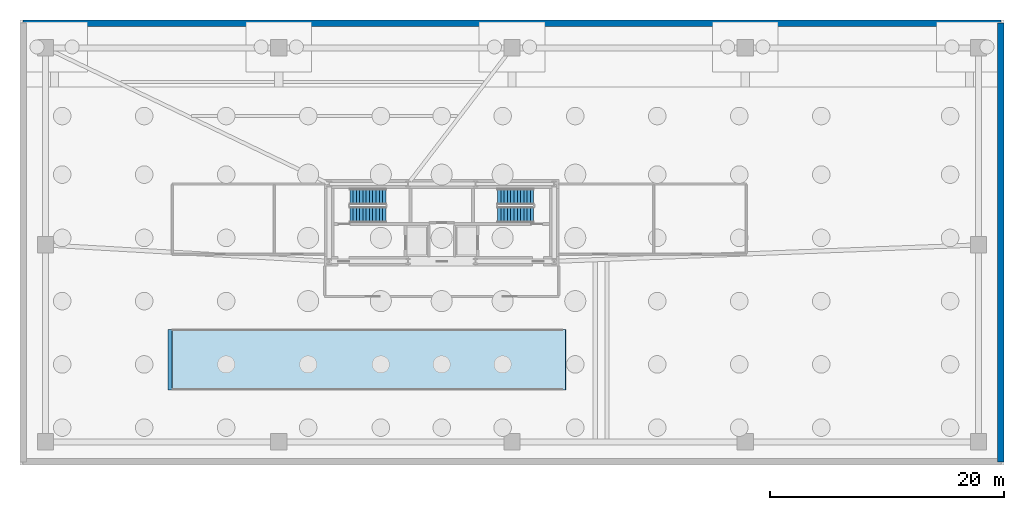
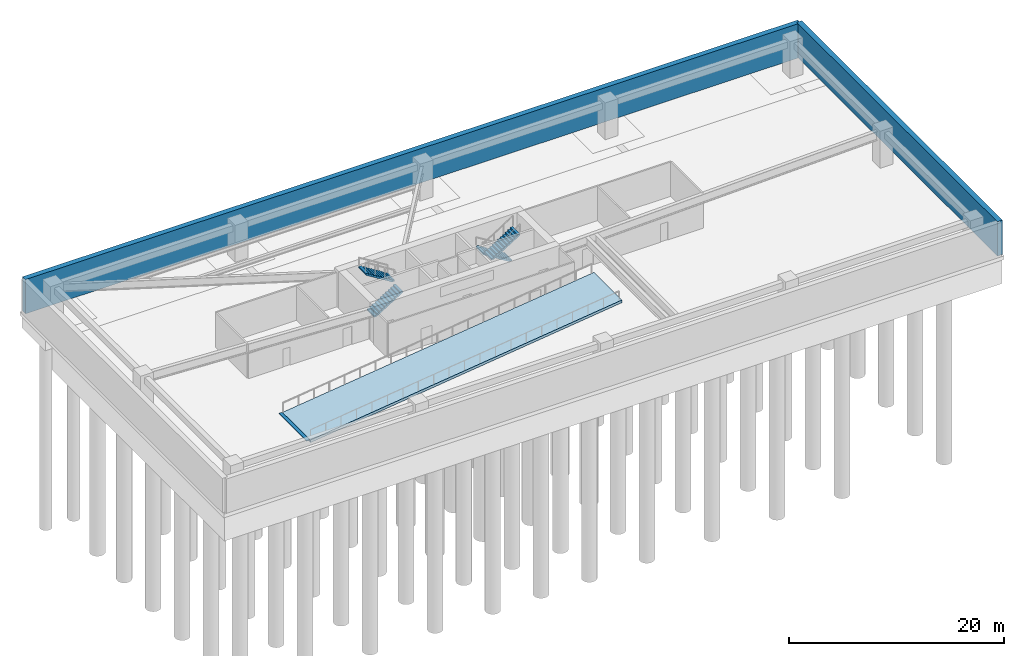
# One storey, part 6 of 8: 4 stair flights, 2 walls, 1 ramp, 1 slab, 2 elements without a shape of their own.
"""IFC4 building model written with IfcOpenShell, lengths in metres."""

import ifcopenshell
import ifcopenshell.guid

model = None  # the IFC model being written
_history = None  # IfcOwnerHistory: only IFC2X3 demands one
_inside = {}  # id of a spatial element -> (the spatial element, [elements in it])
_under = {}  # id of a project, library or spatial element -> (it, [spatial elements below it])
_declared = {}  # id of a project -> (the project, [libraries it declares])
_typed = {}  # id of a type object -> (the type object, [elements of that type])
_made_of = {}  # id of a material, layer set ... -> (it, [elements and type objects made of it])


def new_model(schema):
    """Start an empty IFC model of exactly this schema.

    Asked for "IFC4X3", IfcOpenShell would pick the latest addendum, in which some entities
    have other attributes; the version numbers below select the first issue.
    IFC2X3 requires an IfcOwnerHistory on every rooted entity: one is made here for all.
    """
    global model, _history
    if schema == "IFC4X3":
        model = ifcopenshell.file(schema_version=(4, 3, 0, 0))
    else:
        model = ifcopenshell.file(schema=schema)
    _inside.clear()
    _under.clear()
    _declared.clear()
    _typed.clear()
    _made_of.clear()
    _history = None
    if model.schema == "IFC2X3":
        org = make("IfcOrganization", Name="unknown")
        user = make(
            "IfcPersonAndOrganization",
            ThePerson=make("IfcPerson", FamilyName="unknown"),
            TheOrganization=org,
        )
        app = make(
            "IfcApplication",
            ApplicationDeveloper=org,
            Version="unknown",
            ApplicationFullName="unknown",
            ApplicationIdentifier="unknown",
        )
        _history = make(
            "IfcOwnerHistory",
            OwningUser=user,
            OwningApplication=app,
            ChangeAction="ADDED",
            CreationDate=0,
        )
    return model


def make(cls, **values):
    """One entity of the class cls with the attributes given. An attribute that is None is left unset."""
    return model.create_entity(
        cls, **{name: value for name, value in values.items() if value is not None}
    )


def rooted(cls, **values):
    """An entity with a GlobalId (a new one), such as an element, a storey or a relation."""
    return make(cls, GlobalId=ifcopenshell.guid.new(), OwnerHistory=_history, **values)


def si_unit(unit_type, name, prefix=None):
    """IfcSIUnit, for example si_unit("LENGTHUNIT", "METRE", prefix="MILLI")."""
    return make("IfcSIUnit", UnitType=unit_type, Prefix=prefix, Name=name)


def assignment(units):
    """IfcUnitAssignment: the units of a project."""
    return None if units is None else make("IfcUnitAssignment", Units=units)


def point(xyz):
    """IfcCartesianPoint."""
    return None if xyz is None else make("IfcCartesianPoint", Coordinates=xyz)


def direction(xyz):
    """IfcDirection."""
    return None if xyz is None else make("IfcDirection", DirectionRatios=xyz)


def frame(location, z_axis=None, x_axis=None):
    """IfcAxis2Placement3D, a coordinate frame: its origin and axes. An axis left out is left unset."""
    return make(
        "IfcAxis2Placement3D",
        Location=point(location),
        Axis=direction(z_axis),
        RefDirection=direction(x_axis),
    )


def frame_2d(location, x_axis=None):
    """IfcAxis2Placement2D, a coordinate frame in the plane: its origin and x axis."""
    return make(
        "IfcAxis2Placement2D", Location=point(location), RefDirection=direction(x_axis)
    )


def origin():
    """The frame at (0, 0, 0) with its axes left unset."""
    return frame((0.0, 0.0, 0.0))


def place(relative_to, where):
    """IfcLocalPlacement: puts the frame where relative to a parent placement (None: the world)."""
    return make(
        "IfcLocalPlacement", PlacementRelTo=relative_to, RelativePlacement=where
    )


def context(
    kind, dimensions, precision=None, world=None, true_north=None, identifier=None
):
    """IfcGeometricRepresentationContext, for example the 3D "Model" context."""
    return make(
        "IfcGeometricRepresentationContext",
        ContextIdentifier=identifier,
        ContextType=kind,
        CoordinateSpaceDimension=dimensions,
        Precision=precision,
        WorldCoordinateSystem=world,
        TrueNorth=true_north,
    )


def subcontext(parent, identifier, kind, view, scale=None):
    """IfcGeometricRepresentationSubContext, for example "Body" below "Model"."""
    return make(
        "IfcGeometricRepresentationSubContext",
        ContextIdentifier=identifier,
        ContextType=kind,
        ParentContext=parent,
        TargetScale=scale,
        TargetView=view,
    )


def project(units=None, contexts=None):
    """IfcProject with its units and contexts."""
    return rooted(
        "IfcProject",
        Name="project",
        RepresentationContexts=contexts,
        UnitsInContext=assignment(units),
    )


def spatial(cls, under=None, at=None, **own):
    """A site, building, storey or space (cls), placed at a placement, below another one or the project."""
    s = rooted(cls, ObjectPlacement=at, **own)
    if under is not None:
        _under.setdefault(under.id(), (under, []))[1].append(s)
    return s


def polyline(points):
    """IfcPolyline through the points."""
    return make("IfcPolyline", Points=[point(p) for p in points])


def profile(cls, at=None, kind="AREA", **sizes):
    """A parametric profile (cls). Its sizes go by their IFC names, for example OverallWidth=200.0."""
    return make(cls, ProfileType=kind, Position=at, **sizes)


def rectangle(**sizes):
    """IfcRectangleProfileDef."""
    return profile("IfcRectangleProfileDef", **sizes)


def outline(outer, holes=None, kind="AREA"):
    """IfcArbitraryClosedProfileDef: a profile drawn as a closed curve; with holes, ...WithVoids."""
    if holes is None:
        return make("IfcArbitraryClosedProfileDef", ProfileType=kind, OuterCurve=outer)
    return make(
        "IfcArbitraryProfileDefWithVoids",
        ProfileType=kind,
        OuterCurve=outer,
        InnerCurves=holes,
    )


def extrude(swept, where, along, depth):
    """IfcExtrudedAreaSolid: the profile swept, set in the frame where, extruded along a direction by depth."""
    return make(
        "IfcExtrudedAreaSolid",
        SweptArea=swept,
        Position=where,
        ExtrudedDirection=direction(along),
        Depth=depth,
    )


def shape(context_of_items, identifier, shape_type, items):
    """IfcShapeRepresentation: the items that make up one representation, for example the "Body"."""
    return make(
        "IfcShapeRepresentation",
        ContextOfItems=context_of_items,
        RepresentationIdentifier=identifier,
        RepresentationType=shape_type,
        Items=items,
    )


def source(mapping_origin, context_of_items, identifier, shape_type, items):
    """IfcRepresentationMap: a shape defined once, which mapped items show again and again."""
    return make(
        "IfcRepresentationMap",
        MappingOrigin=mapping_origin,
        MappedRepresentation=shape(context_of_items, identifier, shape_type, items),
    )


def transform(
    local_origin,
    x_axis=None,
    y_axis=None,
    z_axis=None,
    scale=None,
    scale2=None,
    scale3=None,
    uniform=True,
):
    """IfcCartesianTransformationOperator3D, or its non-uniform kind. x_axis, y_axis, z_axis: its Axis1, 2, 3."""
    if uniform:
        return make(
            "IfcCartesianTransformationOperator3D",
            Axis1=direction(x_axis),
            Axis2=direction(y_axis),
            LocalOrigin=point(local_origin),
            Scale=scale,
            Axis3=direction(z_axis),
        )
    return make(
        "IfcCartesianTransformationOperator3DnonUniform",
        Axis1=direction(x_axis),
        Axis2=direction(y_axis),
        LocalOrigin=point(local_origin),
        Scale=scale,
        Axis3=direction(z_axis),
        Scale2=scale2,
        Scale3=scale3,
    )


def mapped(mapping_source, mapping_target):
    """IfcMappedItem: shows the shape of a source again, moved by a transform."""
    return make(
        "IfcMappedItem", MappingSource=mapping_source, MappingTarget=mapping_target
    )


def material(Name=None, Category=None):
    """IfcMaterial."""
    return make("IfcMaterial", Name=Name, Category=Category)


def layer(
    of_material, thickness, ventilated=None, Name=None, Category=None, Priority=None
):
    """IfcMaterialLayer: one layer of a wall or slab, of a material (None: an air gap)."""
    return make(
        "IfcMaterialLayer",
        Material=of_material,
        LayerThickness=thickness,
        IsVentilated=ventilated,
        Name=Name,
        Category=Category,
        Priority=Priority,
    )


def layer_set(layers, Name=None):
    """IfcMaterialLayerSet."""
    return make("IfcMaterialLayerSet", MaterialLayers=layers, LayerSetName=Name)


def made_of(thing, what):
    """Note that an element or type object is made of a material, layer set ...; save() writes the relation."""
    if what is not None:
        _made_of.setdefault(what.id(), (what, []))[1].append(thing)
    return thing


def type_object(cls, material=None, **own):
    """A type object (cls), such as IfcWallType, which elements share."""
    return made_of(rooted(cls, **own), material)


def type_shapes(of_type, sources):
    """Give a type object the sources (RepresentationMaps) that its elements show as mapped items."""
    of_type.RepresentationMaps = sources


def element(
    cls,
    number,
    at=None,
    inside=None,
    cuts=None,
    type_object=None,
    material=None,
    context=None,
    identifier="Body",
    shape_type=None,
    held_by="IfcProductDefinitionShape",
    body=None,
    shapes=None,
    **own,
):
    """One element of the class cls, such as IfcWall. Its Tag is "e" and its number.

    at: its placement. inside: the storey or other place that contains it. cuts: it is an
    opening in that element (IfcRelVoidsElement). A single representation is given by context,
    identifier, shape_type and body (its items); several are given by shapes. held_by: the class
    of the entity that holds the representations. save() writes the other relations.
    """
    e = rooted(cls, Tag="e%d" % number, ObjectPlacement=at, **own)
    if body is not None:
        shapes = [shape(context, identifier, shape_type, body)]
    if shapes is not None:
        e.Representation = make(held_by, Representations=shapes)
    if inside is not None:
        _inside.setdefault(inside.id(), (inside, []))[1].append(e)
    if cuts is not None:
        rooted(
            "IfcRelVoidsElement", RelatingBuildingElement=cuts, RelatedOpeningElement=e
        )
    if type_object is not None:
        _typed.setdefault(type_object.id(), (type_object, []))[1].append(e)
    return made_of(e, material)


def aggregate(whole, parts):
    """IfcRelAggregates: a whole, such as a stair, and the parts it consists of."""
    return rooted("IfcRelAggregates", RelatingObject=whole, RelatedObjects=parts)


def save(model, path):
    """Write the relations noted so far, then the file.

    IfcRelAggregates (storeys below a building ...), IfcRelContainedInSpatialStructure (elements
    in a storey), IfcRelDefinesByType, IfcRelAssociatesMaterial and IfcRelDeclares: one each for
    every whole, place, type object, material and project.
    """
    for whole, parts in _under.values():
        aggregate(whole, parts)
    for where, things in _inside.values():
        rooted(
            "IfcRelContainedInSpatialStructure",
            RelatedElements=things,
            RelatingStructure=where,
        )
    for kind, things in _typed.values():
        rooted("IfcRelDefinesByType", RelatedObjects=things, RelatingType=kind)
    for what, things in _made_of.values():
        rooted("IfcRelAssociatesMaterial", RelatedObjects=things, RelatingMaterial=what)
    for by, libraries in _declared.values():
        rooted("IfcRelDeclares", RelatingContext=by, RelatedDefinitions=libraries)
    model.write(path)


model = new_model("IFC4")

# Units and contexts
model_context = context("Model", 3, precision=1e-05, world=origin(), true_north=direction((0.0, 1.0)))
body_context = subcontext(model_context, "Body", "Model", "MODEL_VIEW")
ifc_project = project(units=[si_unit("LENGTHUNIT", "METRE"), si_unit("AREAUNIT", "SQUARE_METRE"), si_unit("VOLUMEUNIT", "CUBIC_METRE"), si_unit("PLANEANGLEUNIT", "RADIAN"), si_unit("MASSUNIT", "GRAM", prefix="KILO")], contexts=[model_context])

# Slab
ifc_material = material(Name="Concrete C50/60", Category="concrete")
ifc_layer_1 = layer(ifc_material, 0.300048828125)
ifc_layer_set_1 = layer_set([ifc_layer_1], Name="Concrete C50/60")
slab_type = type_object("IfcSlabType", Name="SLOPED STRUCTURAL VEHICLE RAMP SLAB 300", PredefinedType="USERDEFINED", material=ifc_layer_set_1)
site_placement = place(None, origin())
building_placement = place(site_placement, origin())
storey_placement = place(building_placement, frame((0.0, 0.0, -8.39990234375)))
slab_placement = place(storey_placement, frame((13.0, 6.39990234375, 0.0), z_axis=(-0.124178657681, 0.0, 0.992259875726), x_axis=(0.992259875726, 0.0, 0.124178657681)))
slab = element("IfcSlab", 1, at=slab_placement, type_object=slab_type, Name="Sloped Structural Vehicle Ramp Slab VR-1 (B02 to B01)", ObjectType="RAMP", PredefinedType="USERDEFINED", context=body_context, shape_type="SweptSolid", body=[
    extrude(outline(polyline([(0.0, 0.0), (33.82184386845382, 0.0), (33.82184386845382, 5.2001953125), (0.0, 5.2001953125), (0.0, 0.0)])), origin(), (0.0, 0.0, -1.0), 0.300048828125),
])

# Site, building, storey
site = spatial("IfcSite", under=ifc_project, at=site_placement, CompositionType="ELEMENT")
building = spatial("IfcBuilding", under=site, at=building_placement, Name="Astriad Promenade Condominiums", CompositionType="ELEMENT")
storey = spatial("IfcBuildingStorey", under=building, at=storey_placement, Name="B02", CompositionType="ELEMENT", Elevation=-8.39990234375)

# Walls
ifc_layer_2 = layer(ifc_material, 0.550048828125)
ifc_layer_set_2 = layer_set([ifc_layer_2], Name="Concrete C50/60")
wall_type = type_object("IfcWallType", Name="WALL-RET-550", PredefinedType="SOLIDWALL", material=ifc_layer_set_2)
wall_1_placement = place(storey_placement, frame((0.27490234375, 37.72509765625, 0.0), z_axis=(0.0, 0.0, 1.0), x_axis=(1.0, 0.0, 0.0)))
element("IfcWall", 2, at=wall_1_placement, inside=storey, type_object=wall_type, Name="W-RET-B02-2", PredefinedType="SOLIDWALL", context=body_context, shape_type="SweptSolid", body=[
    extrude(rectangle(XDim=83.4501953125, YDim=0.550048828125, at=frame_2d((41.72509765625, 0.0))), origin(), (0.0, 0.0, 1.0), 3.89990234375),
])
wall_2_placement = place(storey_placement, frame((83.72509765625, 37.72509765625, 0.0), z_axis=(0.0, 0.0, 1.0), x_axis=(0.0, -1.0, 0.0)))
element("IfcWall", 3, at=wall_2_placement, inside=storey, type_object=wall_type, Name="W-RET-B02-3", PredefinedType="SOLIDWALL", context=body_context, shape_type="SweptSolid", body=[
    extrude(rectangle(XDim=37.4501953125, YDim=0.550048828125, at=frame_2d((18.72509765625, 0.0))), origin(), (0.0, 0.0, 1.0), 3.89990234375),
])

# Stair, stair flights
stair_type = type_object("IfcStairType", Name="STR-CORE-1350", PredefinedType="HALF_TURN_STAIR", material=ifc_material)
stair_1_placement = place(storey_placement, origin())
stair_1 = element("IfcStair", 4, at=stair_1_placement, inside=storey, type_object=stair_type, Name="B02 Enclosed Core Exit Stair ST-1", PredefinedType="HALF_TURN_STAIR")
stair_flight_type = type_object("IfcStairFlightType", Name="SFL-CORE-1350", PredefinedType="STRAIGHT", material=ifc_material)
shared_shape = source(origin(), body_context, "Body", "SweptSolid", [
    extrude(outline(polyline([(0.0, 0.0), (0.0, 0.175048828125), (0.280029296875, 0.175048828125), (0.280029296875, 0.35009765625), (0.56005859375, 0.35009765625), (0.56005859375, 0.52490234375), (0.840087890625, 0.52490234375), (0.840087890625, 0.699951171875), (1.1201171875, 0.699951171875), (1.1201171875, 0.875), (1.39990234375, 0.875), (1.39990234375, 1.050048828125), (1.679931640625, 1.050048828125), (1.679931640625, 1.22509765625), (1.9599609375, 1.22509765625), (1.9599609375, 1.39990234375), (2.239990234375, 1.39990234375), (2.239990234375, 1.574951171875), (2.52001953125, 1.574951171875), (2.52001953125, 1.75), (2.800048828125, 1.75), (2.800048828125, 1.925048828125), (3.080078125, 1.925048828125), (3.080078125, 2.10009765625), (3.080078125, 1.748291015625), (0.28271484375, 0.0), (0.0, 0.0)])), frame((0.0, 0.675048828125, 0.0), z_axis=(0.0, -1.0, 0.0), x_axis=(1.0, 0.0, 0.0)), (0.0, 0.0, 1.0), 1.35009765625),
])
type_shapes(stair_flight_type, [shared_shape])
stair_flight_1_placement = place(storey_placement, frame((28.14990234375, 21.375, 0.0), z_axis=(0.0, 0.0, 1.0), x_axis=(1.0, 0.0, 0.0)))
stair_flight_1 = element("IfcStairFlight", 5, at=stair_flight_1_placement, type_object=stair_flight_type, Name="ST-1 flight 1", NumberOfRisers=12, NumberOfTreads=11, PredefinedType="STRAIGHT", RiserHeight=0.175, TreadLength=0.28, context=body_context, shape_type="MappedRepresentation", body=[
    mapped(shared_shape, transform((0.0, 0.0, 0.0), scale=1.0)),
])
stair_flight_2_placement = place(storey_placement, frame((31.22998046875, 22.925048828125, 2.099853515625), z_axis=(0.0, 0.0, 1.0), x_axis=(-1.0, 0.0, 0.0)))
stair_flight_2 = element("IfcStairFlight", 6, at=stair_flight_2_placement, type_object=stair_flight_type, Name="ST-1 flight 2", NumberOfRisers=12, NumberOfTreads=11, PredefinedType="STRAIGHT", RiserHeight=0.175, TreadLength=0.28, context=body_context, shape_type="MappedRepresentation", body=[
    mapped(shared_shape, transform((0.0, 0.0, 0.0), scale=1.0)),
])
aggregate(stair_1, [stair_flight_1, stair_flight_2])

stair_2_placement = place(storey_placement, origin())
stair_2 = element("IfcStair", 7, at=stair_2_placement, inside=storey, type_object=stair_type, Name="B02 Enclosed Core Exit Stair ST-2", PredefinedType="HALF_TURN_STAIR")
stair_flight_3_placement = place(storey_placement, frame((43.85009765625, 22.925048828125, 0.0), z_axis=(0.0, 0.0, 1.0), x_axis=(-1.0, 0.0, 0.0)))
stair_flight_3 = element("IfcStairFlight", 8, at=stair_flight_3_placement, type_object=stair_flight_type, Name="ST-2 flight 1", NumberOfRisers=12, NumberOfTreads=11, PredefinedType="STRAIGHT", RiserHeight=0.175, TreadLength=0.28, context=body_context, shape_type="MappedRepresentation", body=[
    mapped(shared_shape, transform((0.0, 0.0, 0.0), scale=1.0)),
])
stair_flight_4_placement = place(storey_placement, frame((40.77001953125, 21.375, 2.099853515625), z_axis=(0.0, 0.0, 1.0), x_axis=(1.0, 0.0, 0.0)))
stair_flight_4 = element("IfcStairFlight", 9, at=stair_flight_4_placement, type_object=stair_flight_type, Name="ST-2 flight 2", NumberOfRisers=12, NumberOfTreads=11, PredefinedType="STRAIGHT", RiserHeight=0.175, TreadLength=0.28, context=body_context, shape_type="MappedRepresentation", body=[
    mapped(shared_shape, transform((0.0, 0.0, 0.0), scale=1.0)),
])
aggregate(stair_2, [stair_flight_3, stair_flight_4])

# Ramp
ifc_layer_3 = layer(ifc_material, 0.300048828125)
ifc_layer_set_3 = layer_set([ifc_layer_3], Name="Concrete C50/60")
ramp_type = type_object("IfcRampType", Name="CONCRETE VEHICLE GARAGE RAMP 5200", PredefinedType="STRAIGHT_RUN_RAMP", material=ifc_layer_set_3)
ramp_placement = place(storey_placement, origin())
ramp = element("IfcRamp", 10, at=ramp_placement, inside=storey, type_object=ramp_type, Name="Vehicle Car Park Ramp VR-1 (B02 to B01)", PredefinedType="STRAIGHT_RUN_RAMP", context=body_context, shape_type="SweptSolid", body=[
    extrude(outline(polyline([(12.6201171875, 6.39990234375), (12.97998046875, 6.39990234375), (12.97998046875, 11.60009765625), (12.6201171875, 11.60009765625), (12.6201171875, 6.39990234375)])), origin(), (0.0, 0.0, 1.0), 0.039794921875),
])

aggregate(ramp, [slab])

save(model, "model.ifc")
